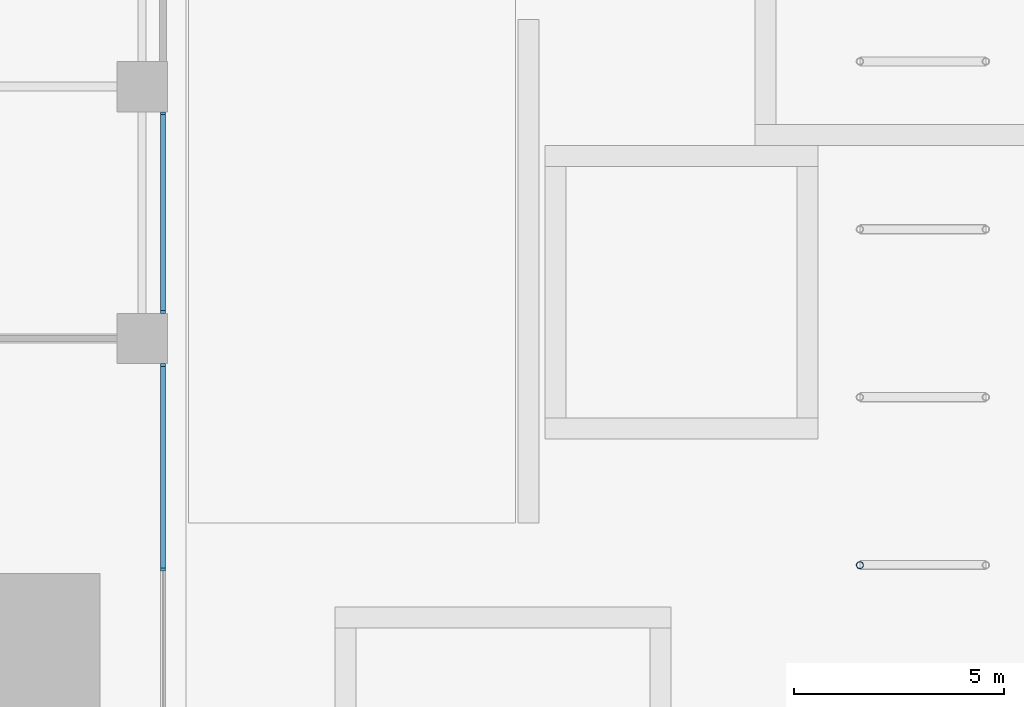
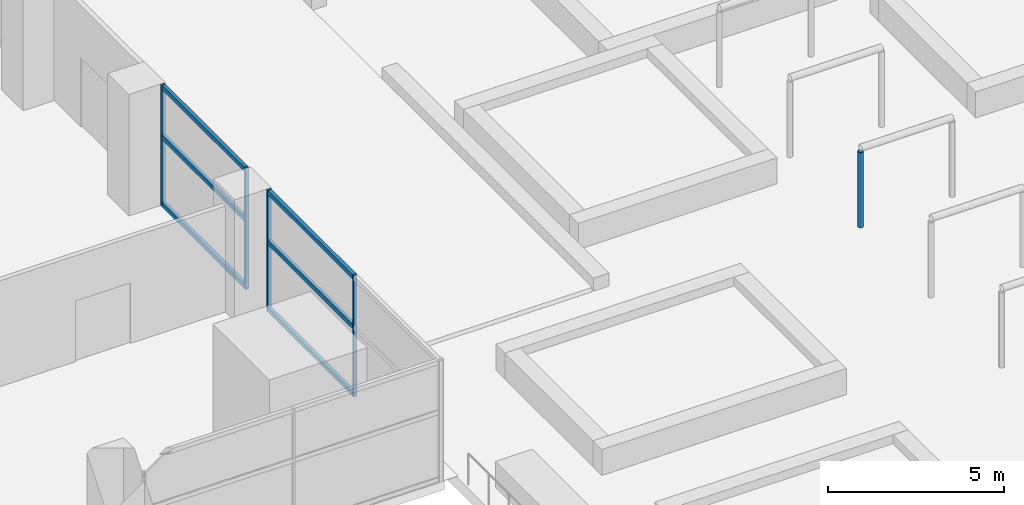
# One storey, part 8 of 34: 11 members, 2 elements without a shape of their own.
"""IFC4 building model written with IfcOpenShell, lengths in metres."""

import ifcopenshell
import ifcopenshell.guid

model = None  # the IFC model being written
_history = None  # IfcOwnerHistory: only IFC2X3 demands one
_inside = {}  # id of a spatial element -> (the spatial element, [elements in it])
_under = {}  # id of a project, library or spatial element -> (it, [spatial elements below it])
_declared = {}  # id of a project -> (the project, [libraries it declares])
_typed = {}  # id of a type object -> (the type object, [elements of that type])
_made_of = {}  # id of a material, layer set ... -> (it, [elements and type objects made of it])


def new_model(schema):
    """Start an empty IFC model of exactly this schema.

    Asked for "IFC4X3", IfcOpenShell would pick the latest addendum, in which some entities
    have other attributes; the version numbers below select the first issue.
    IFC2X3 requires an IfcOwnerHistory on every rooted entity: one is made here for all.
    """
    global model, _history
    if schema == "IFC4X3":
        model = ifcopenshell.file(schema_version=(4, 3, 0, 0))
    else:
        model = ifcopenshell.file(schema=schema)
    _inside.clear()
    _under.clear()
    _declared.clear()
    _typed.clear()
    _made_of.clear()
    _history = None
    if model.schema == "IFC2X3":
        org = make("IfcOrganization", Name="unknown")
        user = make(
            "IfcPersonAndOrganization",
            ThePerson=make("IfcPerson", FamilyName="unknown"),
            TheOrganization=org,
        )
        app = make(
            "IfcApplication",
            ApplicationDeveloper=org,
            Version="unknown",
            ApplicationFullName="unknown",
            ApplicationIdentifier="unknown",
        )
        _history = make(
            "IfcOwnerHistory",
            OwningUser=user,
            OwningApplication=app,
            ChangeAction="ADDED",
            CreationDate=0,
        )
    return model


def make(cls, **values):
    """One entity of the class cls with the attributes given. An attribute that is None is left unset."""
    return model.create_entity(
        cls, **{name: value for name, value in values.items() if value is not None}
    )


def rooted(cls, **values):
    """An entity with a GlobalId (a new one), such as an element, a storey or a relation."""
    return make(cls, GlobalId=ifcopenshell.guid.new(), OwnerHistory=_history, **values)


def si_unit(unit_type, name, prefix=None):
    """IfcSIUnit, for example si_unit("LENGTHUNIT", "METRE", prefix="MILLI")."""
    return make("IfcSIUnit", UnitType=unit_type, Prefix=prefix, Name=name)


def assignment(units):
    """IfcUnitAssignment: the units of a project."""
    return None if units is None else make("IfcUnitAssignment", Units=units)


def point(xyz):
    """IfcCartesianPoint."""
    return None if xyz is None else make("IfcCartesianPoint", Coordinates=xyz)


def direction(xyz):
    """IfcDirection."""
    return None if xyz is None else make("IfcDirection", DirectionRatios=xyz)


def frame(location, z_axis=None, x_axis=None):
    """IfcAxis2Placement3D, a coordinate frame: its origin and axes. An axis left out is left unset."""
    return make(
        "IfcAxis2Placement3D",
        Location=point(location),
        Axis=direction(z_axis),
        RefDirection=direction(x_axis),
    )


def frame_2d(location, x_axis=None):
    """IfcAxis2Placement2D, a coordinate frame in the plane: its origin and x axis."""
    return make(
        "IfcAxis2Placement2D", Location=point(location), RefDirection=direction(x_axis)
    )


def origin():
    """The frame at (0, 0, 0) with its axes left unset."""
    return frame((0.0, 0.0, 0.0))


def origin_2d():
    """The frame at (0, 0) in the plane with its x axis left unset."""
    return frame_2d((0.0, 0.0))


def place(relative_to, where):
    """IfcLocalPlacement: puts the frame where relative to a parent placement (None: the world)."""
    return make(
        "IfcLocalPlacement", PlacementRelTo=relative_to, RelativePlacement=where
    )


def context(
    kind, dimensions, precision=None, world=None, true_north=None, identifier=None
):
    """IfcGeometricRepresentationContext, for example the 3D "Model" context."""
    return make(
        "IfcGeometricRepresentationContext",
        ContextIdentifier=identifier,
        ContextType=kind,
        CoordinateSpaceDimension=dimensions,
        Precision=precision,
        WorldCoordinateSystem=world,
        TrueNorth=true_north,
    )


def subcontext(parent, identifier, kind, view, scale=None):
    """IfcGeometricRepresentationSubContext, for example "Body" below "Model"."""
    return make(
        "IfcGeometricRepresentationSubContext",
        ContextIdentifier=identifier,
        ContextType=kind,
        ParentContext=parent,
        TargetScale=scale,
        TargetView=view,
    )


def project(units=None, contexts=None):
    """IfcProject with its units and contexts."""
    return rooted(
        "IfcProject",
        Name="project",
        RepresentationContexts=contexts,
        UnitsInContext=assignment(units),
    )


def spatial(cls, under=None, at=None, **own):
    """A site, building, storey or space (cls), placed at a placement, below another one or the project."""
    s = rooted(cls, ObjectPlacement=at, **own)
    if under is not None:
        _under.setdefault(under.id(), (under, []))[1].append(s)
    return s


def profile(cls, at=None, kind="AREA", **sizes):
    """A parametric profile (cls). Its sizes go by their IFC names, for example OverallWidth=200.0."""
    return make(cls, ProfileType=kind, Position=at, **sizes)


def rectangle(**sizes):
    """IfcRectangleProfileDef."""
    return profile("IfcRectangleProfileDef", **sizes)


def hollow_circle(**sizes):
    """IfcCircleHollowProfileDef."""
    return profile("IfcCircleHollowProfileDef", **sizes)


def extrude(swept, where, along, depth):
    """IfcExtrudedAreaSolid: the profile swept, set in the frame where, extruded along a direction by depth."""
    return make(
        "IfcExtrudedAreaSolid",
        SweptArea=swept,
        Position=where,
        ExtrudedDirection=direction(along),
        Depth=depth,
    )


def shape(context_of_items, identifier, shape_type, items):
    """IfcShapeRepresentation: the items that make up one representation, for example the "Body"."""
    return make(
        "IfcShapeRepresentation",
        ContextOfItems=context_of_items,
        RepresentationIdentifier=identifier,
        RepresentationType=shape_type,
        Items=items,
    )


def material(Name=None, Category=None):
    """IfcMaterial."""
    return make("IfcMaterial", Name=Name, Category=Category)


def material_profile(
    of_material, cross_section, Name=None, Category=None, Priority=None
):
    """IfcMaterialProfile: a cross section and its material."""
    return make(
        "IfcMaterialProfile",
        Name=Name,
        Material=of_material,
        Profile=cross_section,
        Priority=Priority,
        Category=Category,
    )


def profile_set(profiles, Name=None, composite=None):
    """IfcMaterialProfileSet."""
    return make(
        "IfcMaterialProfileSet",
        Name=Name,
        MaterialProfiles=profiles,
        CompositeProfile=composite,
    )


def made_of(thing, what):
    """Note that an element or type object is made of a material, layer set ...; save() writes the relation."""
    if what is not None:
        _made_of.setdefault(what.id(), (what, []))[1].append(thing)
    return thing


def type_object(cls, material=None, **own):
    """A type object (cls), such as IfcWallType, which elements share."""
    return made_of(rooted(cls, **own), material)


def element(
    cls,
    number,
    at=None,
    inside=None,
    cuts=None,
    type_object=None,
    material=None,
    context=None,
    identifier="Body",
    shape_type=None,
    held_by="IfcProductDefinitionShape",
    body=None,
    shapes=None,
    **own,
):
    """One element of the class cls, such as IfcWall. Its Tag is "e" and its number.

    at: its placement. inside: the storey or other place that contains it. cuts: it is an
    opening in that element (IfcRelVoidsElement). A single representation is given by context,
    identifier, shape_type and body (its items); several are given by shapes. held_by: the class
    of the entity that holds the representations. save() writes the other relations.
    """
    e = rooted(cls, Tag="e%d" % number, ObjectPlacement=at, **own)
    if body is not None:
        shapes = [shape(context, identifier, shape_type, body)]
    if shapes is not None:
        e.Representation = make(held_by, Representations=shapes)
    if inside is not None:
        _inside.setdefault(inside.id(), (inside, []))[1].append(e)
    if cuts is not None:
        rooted(
            "IfcRelVoidsElement", RelatingBuildingElement=cuts, RelatedOpeningElement=e
        )
    if type_object is not None:
        _typed.setdefault(type_object.id(), (type_object, []))[1].append(e)
    return made_of(e, material)


def aggregate(whole, parts):
    """IfcRelAggregates: a whole, such as a stair, and the parts it consists of."""
    return rooted("IfcRelAggregates", RelatingObject=whole, RelatedObjects=parts)


def save(model, path):
    """Write the relations noted so far, then the file.

    IfcRelAggregates (storeys below a building ...), IfcRelContainedInSpatialStructure (elements
    in a storey), IfcRelDefinesByType, IfcRelAssociatesMaterial and IfcRelDeclares: one each for
    every whole, place, type object, material and project.
    """
    for whole, parts in _under.values():
        aggregate(whole, parts)
    for where, things in _inside.values():
        rooted(
            "IfcRelContainedInSpatialStructure",
            RelatedElements=things,
            RelatingStructure=where,
        )
    for kind, things in _typed.values():
        rooted("IfcRelDefinesByType", RelatedObjects=things, RelatingType=kind)
    for what, things in _made_of.values():
        rooted("IfcRelAssociatesMaterial", RelatedObjects=things, RelatingMaterial=what)
    for by, libraries in _declared.values():
        rooted("IfcRelDeclares", RelatingContext=by, RelatedDefinitions=libraries)
    model.write(path)


model = new_model("IFC4")

# Units and contexts
model_context = context("Model", 3, precision=1e-05, world=origin(), true_north=direction((0.0, 1.0)))
body_context = subcontext(model_context, "Body", "Model", "MODEL_VIEW")
ifc_project = project(units=[si_unit("LENGTHUNIT", "METRE"), si_unit("AREAUNIT", "SQUARE_METRE"), si_unit("VOLUMEUNIT", "CUBIC_METRE"), si_unit("PLANEANGLEUNIT", "RADIAN"), si_unit("MASSUNIT", "GRAM", prefix="KILO")], contexts=[model_context])

# Site, building, storey
site_placement = place(None, origin())
site = spatial("IfcSite", under=ifc_project, at=site_placement, CompositionType="ELEMENT")
building_placement = place(site_placement, origin())
building = spatial("IfcBuilding", under=site, at=building_placement, Name="Amberfall Residences", CompositionType="ELEMENT")
storey_placement = place(building_placement, frame((0.0, 0.0, 5.5)))
storey = spatial("IfcBuildingStorey", under=building, at=storey_placement, Name="L01", CompositionType="ELEMENT", Elevation=5.5)

# Curtain wall, members
ifc_material_1 = material(Name="Bronze anodised aluminium and glass", Category="aluminium")
curtain_wall_type = type_object("IfcCurtainWallType", Name="Curtain wall CW4 podium storefront", PredefinedType="USERDEFINED", material=ifc_material_1)
curtain_wall_1_placement = place(storey_placement, origin())
curtain_wall_1 = element("IfcCurtainWall", 1, at=curtain_wall_1_placement, inside=storey, type_object=curtain_wall_type, Name="Storefront L01 E1", ObjectType="UNITISED CURTAIN WALL", PredefinedType="USERDEFINED")
ifc_material_2 = material(Name="Bronze anodised aluminium", Category="aluminium")
ifc_material_profile_1 = material_profile(ifc_material_2, rectangle(XDim=0.1201171875, YDim=0.070068359375, at=origin_2d()), Name="CW4 mullion 70 x 120 bronze")
ifc_profile_set_1 = profile_set([ifc_material_profile_1], Name="Bronze anodised aluminium")
member_type_1 = type_object("IfcMemberType", Name="CW4 mullion 70 x 120 bronze", PredefinedType="MULLION", material=ifc_profile_set_1)
member_1_placement = place(storey_placement, frame((99.89990234375, 24.89990234375, 0.0), z_axis=(0.0, 0.0, 1.0), x_axis=(-1.0, 0.0, 0.0)))
member_1 = element("IfcMember", 2, at=member_1_placement, type_object=member_type_1, Name="CW4 mullion 2", PredefinedType="MULLION", context=body_context, shape_type="SweptSolid", body=[
    extrude(rectangle(XDim=0.1201171875, YDim=0.070068359375, at=origin_2d()), origin(), (0.0, 0.0, 1.0), 4.199951171875),
])
member_2_placement = place(storey_placement, frame((99.89990234375, 29.764892578125, 0.0), z_axis=(0.0, 0.0, 1.0), x_axis=(-1.0, 0.0, 0.0)))
member_2 = element("IfcMember", 3, at=member_2_placement, type_object=member_type_1, Name="CW4 mullion 3", PredefinedType="MULLION", context=body_context, shape_type="SweptSolid", body=[
    extrude(rectangle(XDim=0.1201171875, YDim=0.070068359375, at=origin_2d()), origin(), (0.0, 0.0, 1.0), 4.199951171875),
])

curtain_wall_2_placement = place(storey_placement, origin())
curtain_wall_2 = element("IfcCurtainWall", 4, at=curtain_wall_2_placement, inside=storey, type_object=curtain_wall_type, Name="Storefront L01 E2", ObjectType="UNITISED CURTAIN WALL", PredefinedType="USERDEFINED")
member_3_placement = place(storey_placement, frame((99.89990234375, 31.034912109375, 0.0), z_axis=(0.0, 0.0, 1.0), x_axis=(-1.0, 0.0, 0.0)))
member_3 = element("IfcMember", 5, at=member_3_placement, type_object=member_type_1, Name="CW4 mullion 1", PredefinedType="MULLION", context=body_context, shape_type="SweptSolid", body=[
    extrude(rectangle(XDim=0.1201171875, YDim=0.070068359375, at=origin_2d()), origin(), (0.0, 0.0, 1.0), 4.199951171875),
])
member_4_placement = place(storey_placement, frame((99.89990234375, 35.764892578125, 0.0), z_axis=(0.0, 0.0, 1.0), x_axis=(-1.0, 0.0, 0.0)))
member_4 = element("IfcMember", 6, at=member_4_placement, type_object=member_type_1, Name="CW4 mullion 2", PredefinedType="MULLION", context=body_context, shape_type="SweptSolid", body=[
    extrude(rectangle(XDim=0.1201171875, YDim=0.070068359375, at=origin_2d()), origin(), (0.0, 0.0, 1.0), 4.199951171875),
])

# Member
ifc_material_profile_2 = material_profile(ifc_material_2, rectangle(XDim=0.1201171875, YDim=0.14990234375, at=origin_2d()), Name="CW4 transom 120 x 150 bronze")
ifc_profile_set_2 = profile_set([ifc_material_profile_2], Name="Bronze anodised aluminium")
member_type_2 = type_object("IfcMemberType", Name="CW4 transom 120 x 150 bronze", PredefinedType="USERDEFINED", material=ifc_profile_set_2)
member_5_placement = place(storey_placement, frame((99.89990234375, 24.93505859375, 0.074951171875), z_axis=(0.0, 1.0, 0.0), x_axis=(-1.0, 0.0, 0.0)))
member_5 = element("IfcMember", 7, at=member_5_placement, type_object=member_type_2, Name="CW4 transom 2.1", ObjectType="TRANSOM", PredefinedType="USERDEFINED", context=body_context, shape_type="SweptSolid", body=[
    extrude(rectangle(XDim=0.1201171875, YDim=0.14990234375, at=origin_2d()), origin(), (0.0, 0.0, 1.0), 4.794921875),
])

member_6_placement = place(storey_placement, frame((99.89990234375, 24.93505859375, 2.39990234375), z_axis=(0.0, 1.0, 0.0), x_axis=(-1.0, 0.0, 0.0)))
member_6 = element("IfcMember", 8, at=member_6_placement, type_object=member_type_2, Name="CW4 transom 2.2", ObjectType="TRANSOM", PredefinedType="USERDEFINED", context=body_context, shape_type="SweptSolid", body=[
    extrude(rectangle(XDim=0.1201171875, YDim=0.14990234375, at=origin_2d()), origin(), (0.0, 0.0, 1.0), 4.794921875),
])

member_7_placement = place(storey_placement, frame((99.89990234375, 24.93505859375, 4.125), z_axis=(0.0, 1.0, 0.0), x_axis=(-1.0, 0.0, 0.0)))
member_7 = element("IfcMember", 9, at=member_7_placement, type_object=member_type_2, Name="CW4 transom 2.3", ObjectType="TRANSOM", PredefinedType="USERDEFINED", context=body_context, shape_type="SweptSolid", body=[
    extrude(rectangle(XDim=0.1201171875, YDim=0.14990234375, at=origin_2d()), origin(), (0.0, 0.0, 1.0), 4.794921875),
])

aggregate(curtain_wall_1, [member_1, member_2, member_5, member_6, member_7])

member_8_placement = place(storey_placement, frame((99.89990234375, 31.070068359375, 0.074951171875), z_axis=(0.0, 1.0, 0.0), x_axis=(-1.0, 0.0, 0.0)))
member_8 = element("IfcMember", 10, at=member_8_placement, type_object=member_type_2, Name="CW4 transom 1.1", ObjectType="TRANSOM", PredefinedType="USERDEFINED", context=body_context, shape_type="SweptSolid", body=[
    extrude(rectangle(XDim=0.1201171875, YDim=0.14990234375, at=origin_2d()), origin(), (0.0, 0.0, 1.0), 4.659912109375),
])

member_9_placement = place(storey_placement, frame((99.89990234375, 31.070068359375, 2.39990234375), z_axis=(0.0, 1.0, 0.0), x_axis=(-1.0, 0.0, 0.0)))
member_9 = element("IfcMember", 11, at=member_9_placement, type_object=member_type_2, Name="CW4 transom 1.2", ObjectType="TRANSOM", PredefinedType="USERDEFINED", context=body_context, shape_type="SweptSolid", body=[
    extrude(rectangle(XDim=0.1201171875, YDim=0.14990234375, at=origin_2d()), origin(), (0.0, 0.0, 1.0), 4.659912109375),
])

member_10_placement = place(storey_placement, frame((99.89990234375, 31.070068359375, 4.125), z_axis=(0.0, 1.0, 0.0), x_axis=(-1.0, 0.0, 0.0)))
member_10 = element("IfcMember", 12, at=member_10_placement, type_object=member_type_2, Name="CW4 transom 1.3", ObjectType="TRANSOM", PredefinedType="USERDEFINED", context=body_context, shape_type="SweptSolid", body=[
    extrude(rectangle(XDim=0.1201171875, YDim=0.14990234375, at=origin_2d()), origin(), (0.0, 0.0, 1.0), 4.659912109375),
])

aggregate(curtain_wall_2, [member_3, member_4, member_8, member_9, member_10])

ifc_material_3 = material(Name="Steel S355", Category="steel")
ifc_material_profile_3 = material_profile(ifc_material_3, hollow_circle(Radius=0.084228515625, WallThickness=0.008056640625, at=origin_2d()), Name="CHS 168.3x8")
ifc_profile_set_3 = profile_set([ifc_material_profile_3], Name="Steel S355")
member_type_3 = type_object("IfcMemberType", Name="Pergola post CHS 168.3x8", PredefinedType="POST", material=ifc_profile_set_3)
member_11_placement = place(storey_placement, frame((116.5, 25.0, 0.0), z_axis=(0.0, 0.0, 1.0), x_axis=(1.0, 0.0, 0.0)))
element("IfcMember", 13, at=member_11_placement, inside=storey, type_object=member_type_3, Name="Pergola post A3", PredefinedType="POST", context=body_context, shape_type="SweptSolid", body=[
    extrude(hollow_circle(Radius=0.084228515625, WallThickness=0.008056640625, at=origin_2d()), origin(), (0.0, 0.0, 1.0), 2.60009765625),
])

save(model, "model.ifc")
